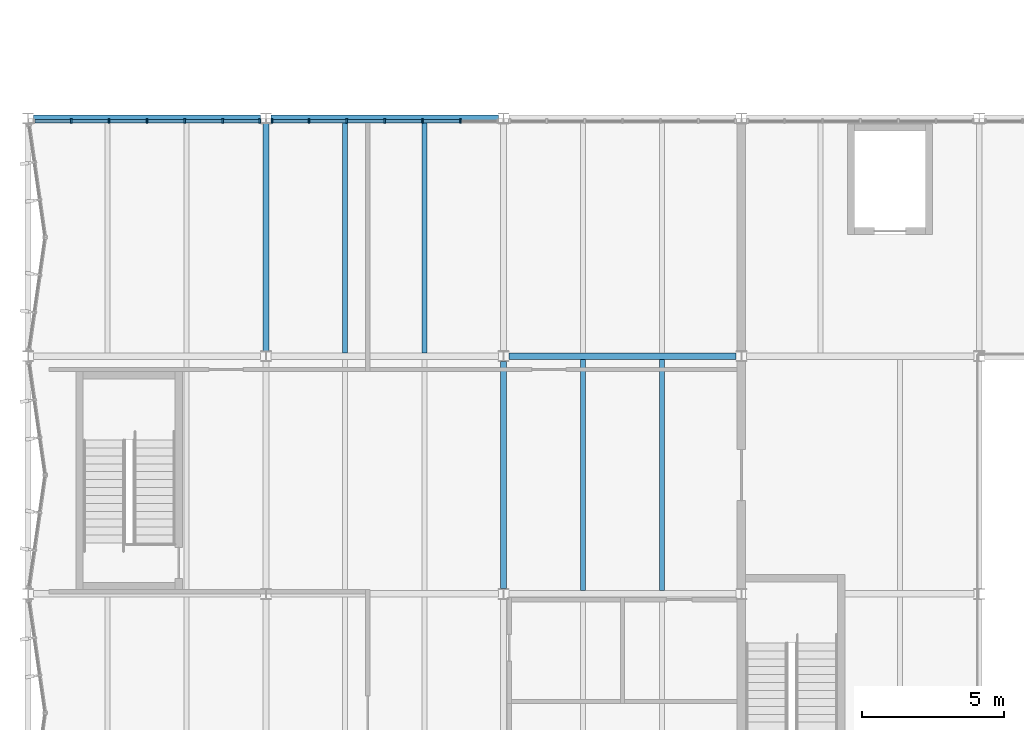
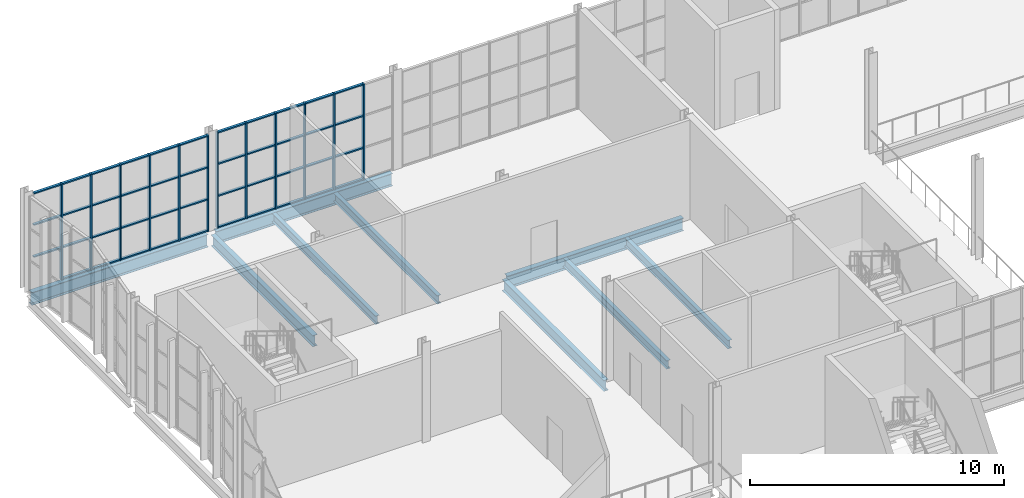
# One storey, part 39 of 127: 55 members, 9 beams, 2 elements without a shape of their own.
"""IFC4 building model written with IfcOpenShell, lengths in metres."""

from ifc_helpers import new_model, si_unit, direction, frame, origin, origin_2d, place, context, subcontext, project, spatial, rectangle, i_section, extrude, material, material_profile, profile_set, type_object, element, aggregate, save


model = new_model("IFC4")

# Units and contexts
model_context = context("Model", 3, precision=1e-05, world=origin(), true_north=direction((0.0, 1.0)))
body_context = subcontext(model_context, "Body", "Model", "MODEL_VIEW")
ifc_project = project(units=[si_unit("LENGTHUNIT", "METRE"), si_unit("AREAUNIT", "SQUARE_METRE"), si_unit("VOLUMEUNIT", "CUBIC_METRE"), si_unit("PLANEANGLEUNIT", "RADIAN"), si_unit("MASSUNIT", "GRAM", prefix="KILO")], contexts=[model_context])

# Site, building, storey
site_placement = place(None, origin())
site = spatial("IfcSite", under=ifc_project, at=site_placement, CompositionType="ELEMENT")
building_placement = place(site_placement, origin())
building = spatial("IfcBuilding", under=site, at=building_placement, Name="Ljudholm Concert House", CompositionType="ELEMENT")
storey_placement = place(building_placement, frame((0.0, 0.0, 5.39990234375)))
storey = spatial("IfcBuildingStorey", under=building, at=storey_placement, Name="L01", CompositionType="ELEMENT", Elevation=5.39990234375)

# Curtain wall, members
ifc_material_1 = material(Name="Aluminium curtain wall with impact-rated laminated glass", Category="aluminium")
curtain_wall_type = type_object("IfcCurtainWallType", Name="CURTAIN WALL 1400", PredefinedType="NOTDEFINED", material=ifc_material_1)
curtain_wall_1_placement = place(storey_placement, origin())
curtain_wall_1 = element("IfcCurtainWall", 1, at=curtain_wall_1_placement, inside=storey, type_object=curtain_wall_type, Name="North curtain wall", PredefinedType="NOTDEFINED")
ifc_material_2 = material(Name="Aluminium extrusion", Category="aluminium")
ifc_material_profile_1 = material_profile(ifc_material_2, rectangle(XDim=0.159912109375, YDim=0.06005859375, at=origin_2d()), Name="MULLION 60x160")
ifc_profile_set_1 = profile_set([ifc_material_profile_1], Name="Aluminium extrusion")
member_type_1 = type_object("IfcMemberType", Name="MULLION 60x160", PredefinedType="MULLION", material=ifc_profile_set_1)
member_1_placement = place(storey_placement, frame((5.5244140625, 129.89990234375, 0.0), z_axis=(0.0, 0.0, 1.0), x_axis=(0.0, 1.0, 0.0)))
member_1 = element("IfcMember", 2, at=member_1_placement, type_object=member_type_1, Name="Mullion", PredefinedType="MULLION", context=body_context, shape_type="SweptSolid", body=[
    extrude(rectangle(XDim=0.159912109375, YDim=0.06005859375, at=origin_2d()), origin(), (0.0, 0.0, 1.0), 4.6201171875),
])
member_2_placement = place(storey_placement, frame((6.8623046875, 129.89990234375, 0.0), z_axis=(0.0, 0.0, 1.0), x_axis=(0.0, 1.0, 0.0)))
member_2 = element("IfcMember", 3, at=member_2_placement, type_object=member_type_1, Name="Mullion", PredefinedType="MULLION", context=body_context, shape_type="SweptSolid", body=[
    extrude(rectangle(XDim=0.159912109375, YDim=0.06005859375, at=origin_2d()), origin(), (0.0, 0.0, 1.0), 4.6201171875),
])
member_3_placement = place(storey_placement, frame((8.199951171875, 129.89990234375, 0.0), z_axis=(0.0, 0.0, 1.0), x_axis=(0.0, 1.0, 0.0)))
member_3 = element("IfcMember", 4, at=member_3_placement, type_object=member_type_1, Name="Mullion", PredefinedType="MULLION", context=body_context, shape_type="SweptSolid", body=[
    extrude(rectangle(XDim=0.159912109375, YDim=0.06005859375, at=origin_2d()), origin(), (0.0, 0.0, 1.0), 4.6201171875),
])
member_4_placement = place(storey_placement, frame((9.537841796875, 129.89990234375, 0.0), z_axis=(0.0, 0.0, 1.0), x_axis=(0.0, 1.0, 0.0)))
member_4 = element("IfcMember", 5, at=member_4_placement, type_object=member_type_1, Name="Mullion", PredefinedType="MULLION", context=body_context, shape_type="SweptSolid", body=[
    extrude(rectangle(XDim=0.159912109375, YDim=0.06005859375, at=origin_2d()), origin(), (0.0, 0.0, 1.0), 4.6201171875),
])
member_5_placement = place(storey_placement, frame((10.87548828125, 129.89990234375, 0.0), z_axis=(0.0, 0.0, 1.0), x_axis=(0.0, 1.0, 0.0)))
member_5 = element("IfcMember", 6, at=member_5_placement, type_object=member_type_1, Name="Mullion", PredefinedType="MULLION", context=body_context, shape_type="SweptSolid", body=[
    extrude(rectangle(XDim=0.159912109375, YDim=0.06005859375, at=origin_2d()), origin(), (0.0, 0.0, 1.0), 4.6201171875),
])
member_6_placement = place(storey_placement, frame((12.183349609375, 129.89990234375, 0.0), z_axis=(0.0, 0.0, 1.0), x_axis=(0.0, 1.0, 0.0)))
member_6 = element("IfcMember", 7, at=member_6_placement, type_object=member_type_1, Name="Mullion", PredefinedType="MULLION", context=body_context, shape_type="SweptSolid", body=[
    extrude(rectangle(XDim=0.159912109375, YDim=0.06005859375, at=origin_2d()), origin(), (0.0, 0.0, 1.0), 4.6201171875),
])

curtain_wall_2_placement = place(storey_placement, origin())
curtain_wall_2 = element("IfcCurtainWall", 8, at=curtain_wall_2_placement, inside=storey, type_object=curtain_wall_type, Name="North curtain wall", PredefinedType="NOTDEFINED")
member_7_placement = place(storey_placement, frame((12.61669921875, 129.89990234375, 0.0), z_axis=(0.0, 0.0, 1.0), x_axis=(0.0, 1.0, 0.0)))
member_7 = element("IfcMember", 9, at=member_7_placement, type_object=member_type_1, Name="Mullion", PredefinedType="MULLION", context=body_context, shape_type="SweptSolid", body=[
    extrude(rectangle(XDim=0.159912109375, YDim=0.06005859375, at=origin_2d()), origin(), (0.0, 0.0, 1.0), 4.6201171875),
])
member_8_placement = place(storey_placement, frame((13.924560546875, 129.89990234375, 0.0), z_axis=(0.0, 0.0, 1.0), x_axis=(0.0, 1.0, 0.0)))
member_8 = element("IfcMember", 10, at=member_8_placement, type_object=member_type_1, Name="Mullion", PredefinedType="MULLION", context=body_context, shape_type="SweptSolid", body=[
    extrude(rectangle(XDim=0.159912109375, YDim=0.06005859375, at=origin_2d()), origin(), (0.0, 0.0, 1.0), 4.6201171875),
])
member_9_placement = place(storey_placement, frame((15.26220703125, 129.89990234375, 0.0), z_axis=(0.0, 0.0, 1.0), x_axis=(0.0, 1.0, 0.0)))
member_9 = element("IfcMember", 11, at=member_9_placement, type_object=member_type_1, Name="Mullion", PredefinedType="MULLION", context=body_context, shape_type="SweptSolid", body=[
    extrude(rectangle(XDim=0.159912109375, YDim=0.06005859375, at=origin_2d()), origin(), (0.0, 0.0, 1.0), 4.6201171875),
])
member_10_placement = place(storey_placement, frame((16.60009765625, 129.89990234375, 0.0), z_axis=(0.0, 0.0, 1.0), x_axis=(0.0, 1.0, 0.0)))
member_10 = element("IfcMember", 12, at=member_10_placement, type_object=member_type_1, Name="Mullion", PredefinedType="MULLION", context=body_context, shape_type="SweptSolid", body=[
    extrude(rectangle(XDim=0.159912109375, YDim=0.06005859375, at=origin_2d()), origin(), (0.0, 0.0, 1.0), 4.6201171875),
])
member_11_placement = place(storey_placement, frame((17.937744140625, 129.89990234375, 0.0), z_axis=(0.0, 0.0, 1.0), x_axis=(0.0, 1.0, 0.0)))
member_11 = element("IfcMember", 13, at=member_11_placement, type_object=member_type_1, Name="Mullion", PredefinedType="MULLION", context=body_context, shape_type="SweptSolid", body=[
    extrude(rectangle(XDim=0.159912109375, YDim=0.06005859375, at=origin_2d()), origin(), (0.0, 0.0, 1.0), 4.6201171875),
])
member_12_placement = place(storey_placement, frame((19.275634765625, 129.89990234375, 0.0), z_axis=(0.0, 0.0, 1.0), x_axis=(0.0, 1.0, 0.0)))
member_12 = element("IfcMember", 14, at=member_12_placement, type_object=member_type_1, Name="Mullion", PredefinedType="MULLION", context=body_context, shape_type="SweptSolid", body=[
    extrude(rectangle(XDim=0.159912109375, YDim=0.06005859375, at=origin_2d()), origin(), (0.0, 0.0, 1.0), 4.6201171875),
])

# Beams
ifc_material_3 = material(Name="Steel ASTM A992", Category="steel")
ifc_material_profile_2 = material_profile(ifc_material_3, i_section(OverallWidth=0.177734375, OverallDepth=0.406494140625, WebThickness=0.0078125, FlangeThickness=0.012939453125, FilletRadius=0.01025390625, at=origin_2d()), Name="W16X40")
ifc_profile_set_2 = profile_set([ifc_material_profile_2], Name="Steel ASTM A992")
beam_type_1 = type_object("IfcBeamType", Name="STEEL BEAM W16X40", PredefinedType="BEAM", material=ifc_profile_set_2)
for number, where, z_axis, x_axis, name in (
    (15, (15.199951171875, 121.714599609375, -0.383056640625), (0.0, 1.0, 0.0), (-1.0, 0.0, 0.0), "Secondary beam"),
    (16, (18.0, 121.714599609375, -0.383056640625), (0.0, 1.0, 0.0), (-1.0, 0.0, 0.0), "Secondary beam"),
    (17, (23.60009765625, 113.314453125, -0.383056640625), (0.0, 1.0, 0.0), (-1.0, 0.0, 0.0), "Secondary beam"),
    (18, (26.39990234375, 113.314453125, -0.383056640625), (0.0, 1.0, 0.0), (-1.0, 0.0, 0.0), "Secondary beam"),
):
    element("IfcBeam", number, at=place(storey_placement, frame(where, z_axis=z_axis, x_axis=x_axis)), inside=storey, type_object=beam_type_1, Name=name, PredefinedType="BEAM", context=body_context, shape_type="SweptSolid", body=[
        extrude(i_section(OverallWidth=0.177734375, OverallDepth=0.406494140625, WebThickness=0.0078125, FlangeThickness=0.012939453125, FilletRadius=0.01025390625, at=origin_2d()), origin(), (0.0, 0.0, 1.0), 8.1708984375),
    ])
ifc_material_4 = material(Name="Steel ASTM A992", Category="steel")
ifc_material_profile_3 = material_profile(ifc_material_4, i_section(OverallWidth=0.209228515625, OverallDepth=0.533447265625, WebThickness=0.01025390625, FlangeThickness=0.015625, FilletRadius=0.012939453125, at=origin_2d()), Name="W21X62")
ifc_profile_set_3 = profile_set([ifc_material_profile_3], Name="Steel ASTM A992")
beam_type_2 = type_object("IfcBeamType", Name="STEEL BEAM W21X62", PredefinedType="BEAM", material=ifc_profile_set_3)
for number, where, z_axis, x_axis, name in (
    (19, (12.39990234375, 121.78662109375, -0.446533203125), (0.0, 1.0, 0.0), (-1.0, 0.0, 0.0), "Floor edge beam"),
    (20, (20.800048828125, 113.38671875, -0.446533203125), (0.0, 1.0, 0.0), (-1.0, 0.0, 0.0), "Floor edge beam"),
):
    element("IfcBeam", number, at=place(storey_placement, frame(where, z_axis=z_axis, x_axis=x_axis)), inside=storey, type_object=beam_type_2, Name=name, PredefinedType="BEAM", context=body_context, shape_type="SweptSolid", body=[
        extrude(i_section(OverallWidth=0.209228515625, OverallDepth=0.533447265625, WebThickness=0.01025390625, FlangeThickness=0.015625, FilletRadius=0.012939453125, at=origin_2d()), origin(), (0.0, 0.0, 1.0), 8.026611328125),
    ])
ifc_material_5 = material(Name="Steel ASTM A992", Category="steel")
ifc_material_profile_4 = material_profile(ifc_material_5, i_section(OverallWidth=0.22900390625, OverallDepth=0.612060546875, WebThickness=0.011962890625, FlangeThickness=0.01953125, FilletRadius=0.0126953125, at=origin_2d()), Name="W24X84")
ifc_profile_set_4 = profile_set([ifc_material_profile_4], Name="Steel ASTM A992")
beam_type_3 = type_object("IfcBeamType", Name="STEEL BEAM W24X84", PredefinedType="BEAM", material=ifc_profile_set_4)
beam_placement = place(storey_placement, frame((20.986572265625, 121.60009765625, -0.486083984375), z_axis=(1.0, 0.0, 0.0), x_axis=(0.0, 1.0, 0.0)))
element("IfcBeam", 21, at=beam_placement, inside=storey, type_object=beam_type_3, Name="Floor girder", PredefinedType="BEAM", context=body_context, shape_type="SweptSolid", body=[
    extrude(i_section(OverallWidth=0.22900390625, OverallDepth=0.612060546875, WebThickness=0.011962890625, FlangeThickness=0.01953125, FilletRadius=0.0126953125, at=origin_2d()), origin(), (0.0, 0.0, 1.0), 8.02685546875),
])
for number, where, z_axis, x_axis, name in (
    (22, (4.186767578125, 130.0, -0.486083984375), (1.0, 0.0, 0.0), (0.0, 1.0, 0.0), "Floor girder"),
    (23, (12.586669921875, 130.0, -0.486083984375), (1.0, 0.0, 0.0), (0.0, 1.0, 0.0), "Floor girder"),
):
    element("IfcBeam", number, at=place(storey_placement, frame(where, z_axis=z_axis, x_axis=x_axis)), inside=storey, type_object=beam_type_3, Name=name, PredefinedType="BEAM", context=body_context, shape_type="SweptSolid", body=[
        extrude(i_section(OverallWidth=0.22900390625, OverallDepth=0.612060546875, WebThickness=0.011962890625, FlangeThickness=0.01953125, FilletRadius=0.0126953125, at=origin_2d()), origin(), (0.0, 0.0, 1.0), 8.026611328125),
    ])

# Member
ifc_material_6 = material(Name="Aluminium extrusion", Category="aluminium")
ifc_material_profile_5 = material_profile(ifc_material_6, rectangle(XDim=0.1201171875, YDim=0.06005859375, at=origin_2d()), Name="TRANSOM 60x120")
ifc_profile_set_5 = profile_set([ifc_material_profile_5], Name="Aluminium extrusion")
member_type_2 = type_object("IfcMemberType", Name="TRANSOM 60x120", PredefinedType="USERDEFINED", material=ifc_profile_set_5)
member_13_placement = place(storey_placement, frame((4.24658203125, 129.89990234375, 1.5400390625), z_axis=(1.0, 0.0, 0.0), x_axis=(0.0, 1.0, 0.0)))
member_13 = element("IfcMember", 24, at=member_13_placement, type_object=member_type_2, Name="Transom", ObjectType="TRANSOM", PredefinedType="USERDEFINED", context=body_context, shape_type="SweptSolid", body=[
    extrude(rectangle(XDim=0.1201171875, YDim=0.06005859375, at=origin_2d()), origin(), (0.0, 0.0, 1.0), 1.247802734375),
])

member_14_placement = place(storey_placement, frame((4.24658203125, 129.89990234375, 3.080078125), z_axis=(1.0, 0.0, 0.0), x_axis=(0.0, 1.0, 0.0)))
member_14 = element("IfcMember", 25, at=member_14_placement, type_object=member_type_2, Name="Transom", ObjectType="TRANSOM", PredefinedType="USERDEFINED", context=body_context, shape_type="SweptSolid", body=[
    extrude(rectangle(XDim=0.1201171875, YDim=0.06005859375, at=origin_2d()), origin(), (0.0, 0.0, 1.0), 1.247802734375),
])

member_15_placement = place(storey_placement, frame((4.24658203125, 129.89990234375, 4.590087890625), z_axis=(1.0, 0.0, 0.0), x_axis=(0.0, 1.0, 0.0)))
member_15 = element("IfcMember", 26, at=member_15_placement, type_object=member_type_2, Name="Transom", ObjectType="TRANSOM", PredefinedType="USERDEFINED", context=body_context, shape_type="SweptSolid", body=[
    extrude(rectangle(XDim=0.1201171875, YDim=0.06005859375, at=origin_2d()), origin(), (0.0, 0.0, 1.0), 1.247802734375),
])

member_16_placement = place(storey_placement, frame((5.554443359375, 129.89990234375, 0.030029296875), z_axis=(1.0, 0.0, 0.0), x_axis=(0.0, 1.0, 0.0)))
member_16 = element("IfcMember", 27, at=member_16_placement, type_object=member_type_2, Name="Transom", ObjectType="TRANSOM", PredefinedType="USERDEFINED", context=body_context, shape_type="SweptSolid", body=[
    extrude(rectangle(XDim=0.1201171875, YDim=0.06005859375, at=origin_2d()), origin(), (0.0, 0.0, 1.0), 1.27783203125),
])

member_17_placement = place(storey_placement, frame((5.554443359375, 129.89990234375, 1.5400390625), z_axis=(1.0, 0.0, 0.0), x_axis=(0.0, 1.0, 0.0)))
member_17 = element("IfcMember", 28, at=member_17_placement, type_object=member_type_2, Name="Transom", ObjectType="TRANSOM", PredefinedType="USERDEFINED", context=body_context, shape_type="SweptSolid", body=[
    extrude(rectangle(XDim=0.1201171875, YDim=0.06005859375, at=origin_2d()), origin(), (0.0, 0.0, 1.0), 1.27783203125),
])

member_18_placement = place(storey_placement, frame((5.554443359375, 129.89990234375, 3.080078125), z_axis=(1.0, 0.0, 0.0), x_axis=(0.0, 1.0, 0.0)))
member_18 = element("IfcMember", 29, at=member_18_placement, type_object=member_type_2, Name="Transom", ObjectType="TRANSOM", PredefinedType="USERDEFINED", context=body_context, shape_type="SweptSolid", body=[
    extrude(rectangle(XDim=0.1201171875, YDim=0.06005859375, at=origin_2d()), origin(), (0.0, 0.0, 1.0), 1.27783203125),
])

member_19_placement = place(storey_placement, frame((5.554443359375, 129.89990234375, 4.590087890625), z_axis=(1.0, 0.0, 0.0), x_axis=(0.0, 1.0, 0.0)))
member_19 = element("IfcMember", 30, at=member_19_placement, type_object=member_type_2, Name="Transom", ObjectType="TRANSOM", PredefinedType="USERDEFINED", context=body_context, shape_type="SweptSolid", body=[
    extrude(rectangle(XDim=0.1201171875, YDim=0.06005859375, at=origin_2d()), origin(), (0.0, 0.0, 1.0), 1.27783203125),
])

member_20_placement = place(storey_placement, frame((6.892333984375, 129.89990234375, 0.030029296875), z_axis=(1.0, 0.0, 0.0), x_axis=(0.0, 1.0, 0.0)))
member_20 = element("IfcMember", 31, at=member_20_placement, type_object=member_type_2, Name="Transom", ObjectType="TRANSOM", PredefinedType="USERDEFINED", context=body_context, shape_type="SweptSolid", body=[
    extrude(rectangle(XDim=0.1201171875, YDim=0.06005859375, at=origin_2d()), origin(), (0.0, 0.0, 1.0), 1.277587890625),
])

member_21_placement = place(storey_placement, frame((6.892333984375, 129.89990234375, 1.5400390625), z_axis=(1.0, 0.0, 0.0), x_axis=(0.0, 1.0, 0.0)))
member_21 = element("IfcMember", 32, at=member_21_placement, type_object=member_type_2, Name="Transom", ObjectType="TRANSOM", PredefinedType="USERDEFINED", context=body_context, shape_type="SweptSolid", body=[
    extrude(rectangle(XDim=0.1201171875, YDim=0.06005859375, at=origin_2d()), origin(), (0.0, 0.0, 1.0), 1.277587890625),
])

member_22_placement = place(storey_placement, frame((6.892333984375, 129.89990234375, 3.080078125), z_axis=(1.0, 0.0, 0.0), x_axis=(0.0, 1.0, 0.0)))
member_22 = element("IfcMember", 33, at=member_22_placement, type_object=member_type_2, Name="Transom", ObjectType="TRANSOM", PredefinedType="USERDEFINED", context=body_context, shape_type="SweptSolid", body=[
    extrude(rectangle(XDim=0.1201171875, YDim=0.06005859375, at=origin_2d()), origin(), (0.0, 0.0, 1.0), 1.277587890625),
])

member_23_placement = place(storey_placement, frame((6.892333984375, 129.89990234375, 4.590087890625), z_axis=(1.0, 0.0, 0.0), x_axis=(0.0, 1.0, 0.0)))
member_23 = element("IfcMember", 34, at=member_23_placement, type_object=member_type_2, Name="Transom", ObjectType="TRANSOM", PredefinedType="USERDEFINED", context=body_context, shape_type="SweptSolid", body=[
    extrude(rectangle(XDim=0.1201171875, YDim=0.06005859375, at=origin_2d()), origin(), (0.0, 0.0, 1.0), 1.277587890625),
])

member_24_placement = place(storey_placement, frame((8.22998046875, 129.89990234375, 0.030029296875), z_axis=(1.0, 0.0, 0.0), x_axis=(0.0, 1.0, 0.0)))
member_24 = element("IfcMember", 35, at=member_24_placement, type_object=member_type_2, Name="Transom", ObjectType="TRANSOM", PredefinedType="USERDEFINED", context=body_context, shape_type="SweptSolid", body=[
    extrude(rectangle(XDim=0.1201171875, YDim=0.06005859375, at=origin_2d()), origin(), (0.0, 0.0, 1.0), 1.27783203125),
])

member_25_placement = place(storey_placement, frame((8.22998046875, 129.89990234375, 1.5400390625), z_axis=(1.0, 0.0, 0.0), x_axis=(0.0, 1.0, 0.0)))
member_25 = element("IfcMember", 36, at=member_25_placement, type_object=member_type_2, Name="Transom", ObjectType="TRANSOM", PredefinedType="USERDEFINED", context=body_context, shape_type="SweptSolid", body=[
    extrude(rectangle(XDim=0.1201171875, YDim=0.06005859375, at=origin_2d()), origin(), (0.0, 0.0, 1.0), 1.27783203125),
])

member_26_placement = place(storey_placement, frame((8.22998046875, 129.89990234375, 3.080078125), z_axis=(1.0, 0.0, 0.0), x_axis=(0.0, 1.0, 0.0)))
member_26 = element("IfcMember", 37, at=member_26_placement, type_object=member_type_2, Name="Transom", ObjectType="TRANSOM", PredefinedType="USERDEFINED", context=body_context, shape_type="SweptSolid", body=[
    extrude(rectangle(XDim=0.1201171875, YDim=0.06005859375, at=origin_2d()), origin(), (0.0, 0.0, 1.0), 1.27783203125),
])

member_27_placement = place(storey_placement, frame((8.22998046875, 129.89990234375, 4.590087890625), z_axis=(1.0, 0.0, 0.0), x_axis=(0.0, 1.0, 0.0)))
member_27 = element("IfcMember", 38, at=member_27_placement, type_object=member_type_2, Name="Transom", ObjectType="TRANSOM", PredefinedType="USERDEFINED", context=body_context, shape_type="SweptSolid", body=[
    extrude(rectangle(XDim=0.1201171875, YDim=0.06005859375, at=origin_2d()), origin(), (0.0, 0.0, 1.0), 1.27783203125),
])

member_28_placement = place(storey_placement, frame((9.56787109375, 129.89990234375, 0.030029296875), z_axis=(1.0, 0.0, 0.0), x_axis=(0.0, 1.0, 0.0)))
member_28 = element("IfcMember", 39, at=member_28_placement, type_object=member_type_2, Name="Transom", ObjectType="TRANSOM", PredefinedType="USERDEFINED", context=body_context, shape_type="SweptSolid", body=[
    extrude(rectangle(XDim=0.1201171875, YDim=0.06005859375, at=origin_2d()), origin(), (0.0, 0.0, 1.0), 1.277587890625),
])

member_29_placement = place(storey_placement, frame((9.56787109375, 129.89990234375, 1.5400390625), z_axis=(1.0, 0.0, 0.0), x_axis=(0.0, 1.0, 0.0)))
member_29 = element("IfcMember", 40, at=member_29_placement, type_object=member_type_2, Name="Transom", ObjectType="TRANSOM", PredefinedType="USERDEFINED", context=body_context, shape_type="SweptSolid", body=[
    extrude(rectangle(XDim=0.1201171875, YDim=0.06005859375, at=origin_2d()), origin(), (0.0, 0.0, 1.0), 1.277587890625),
])

member_30_placement = place(storey_placement, frame((9.56787109375, 129.89990234375, 3.080078125), z_axis=(1.0, 0.0, 0.0), x_axis=(0.0, 1.0, 0.0)))
member_30 = element("IfcMember", 41, at=member_30_placement, type_object=member_type_2, Name="Transom", ObjectType="TRANSOM", PredefinedType="USERDEFINED", context=body_context, shape_type="SweptSolid", body=[
    extrude(rectangle(XDim=0.1201171875, YDim=0.06005859375, at=origin_2d()), origin(), (0.0, 0.0, 1.0), 1.277587890625),
])

member_31_placement = place(storey_placement, frame((9.56787109375, 129.89990234375, 4.590087890625), z_axis=(1.0, 0.0, 0.0), x_axis=(0.0, 1.0, 0.0)))
member_31 = element("IfcMember", 42, at=member_31_placement, type_object=member_type_2, Name="Transom", ObjectType="TRANSOM", PredefinedType="USERDEFINED", context=body_context, shape_type="SweptSolid", body=[
    extrude(rectangle(XDim=0.1201171875, YDim=0.06005859375, at=origin_2d()), origin(), (0.0, 0.0, 1.0), 1.277587890625),
])

member_32_placement = place(storey_placement, frame((10.905517578125, 129.89990234375, 0.030029296875), z_axis=(1.0, 0.0, 0.0), x_axis=(0.0, 1.0, 0.0)))
member_32 = element("IfcMember", 43, at=member_32_placement, type_object=member_type_2, Name="Transom", ObjectType="TRANSOM", PredefinedType="USERDEFINED", context=body_context, shape_type="SweptSolid", body=[
    extrude(rectangle(XDim=0.1201171875, YDim=0.06005859375, at=origin_2d()), origin(), (0.0, 0.0, 1.0), 1.247802734375),
])

member_33_placement = place(storey_placement, frame((10.905517578125, 129.89990234375, 1.5400390625), z_axis=(1.0, 0.0, 0.0), x_axis=(0.0, 1.0, 0.0)))
member_33 = element("IfcMember", 44, at=member_33_placement, type_object=member_type_2, Name="Transom", ObjectType="TRANSOM", PredefinedType="USERDEFINED", context=body_context, shape_type="SweptSolid", body=[
    extrude(rectangle(XDim=0.1201171875, YDim=0.06005859375, at=origin_2d()), origin(), (0.0, 0.0, 1.0), 1.247802734375),
])

member_34_placement = place(storey_placement, frame((10.905517578125, 129.89990234375, 3.080078125), z_axis=(1.0, 0.0, 0.0), x_axis=(0.0, 1.0, 0.0)))
member_34 = element("IfcMember", 45, at=member_34_placement, type_object=member_type_2, Name="Transom", ObjectType="TRANSOM", PredefinedType="USERDEFINED", context=body_context, shape_type="SweptSolid", body=[
    extrude(rectangle(XDim=0.1201171875, YDim=0.06005859375, at=origin_2d()), origin(), (0.0, 0.0, 1.0), 1.247802734375),
])

member_35_placement = place(storey_placement, frame((10.905517578125, 129.89990234375, 4.590087890625), z_axis=(1.0, 0.0, 0.0), x_axis=(0.0, 1.0, 0.0)))
member_35 = element("IfcMember", 46, at=member_35_placement, type_object=member_type_2, Name="Transom", ObjectType="TRANSOM", PredefinedType="USERDEFINED", context=body_context, shape_type="SweptSolid", body=[
    extrude(rectangle(XDim=0.1201171875, YDim=0.06005859375, at=origin_2d()), origin(), (0.0, 0.0, 1.0), 1.247802734375),
])

aggregate(curtain_wall_1, [member_1, member_2, member_3, member_4, member_5, member_6, member_13, member_14, member_15, member_16, member_17, member_18, member_19, member_20, member_21, member_22, member_23, member_24, member_25, member_26, member_27, member_28, member_29, member_30, member_31, member_32, member_33, member_34, member_35])

member_36_placement = place(storey_placement, frame((12.646728515625, 129.89990234375, 0.030029296875), z_axis=(1.0, 0.0, 0.0), x_axis=(0.0, 1.0, 0.0)))
member_36 = element("IfcMember", 47, at=member_36_placement, type_object=member_type_2, Name="Transom", ObjectType="TRANSOM", PredefinedType="USERDEFINED", context=body_context, shape_type="SweptSolid", body=[
    extrude(rectangle(XDim=0.1201171875, YDim=0.06005859375, at=origin_2d()), origin(), (0.0, 0.0, 1.0), 1.247802734375),
])

member_37_placement = place(storey_placement, frame((12.646728515625, 129.89990234375, 1.5400390625), z_axis=(1.0, 0.0, 0.0), x_axis=(0.0, 1.0, 0.0)))
member_37 = element("IfcMember", 48, at=member_37_placement, type_object=member_type_2, Name="Transom", ObjectType="TRANSOM", PredefinedType="USERDEFINED", context=body_context, shape_type="SweptSolid", body=[
    extrude(rectangle(XDim=0.1201171875, YDim=0.06005859375, at=origin_2d()), origin(), (0.0, 0.0, 1.0), 1.247802734375),
])

member_38_placement = place(storey_placement, frame((12.646728515625, 129.89990234375, 3.080078125), z_axis=(1.0, 0.0, 0.0), x_axis=(0.0, 1.0, 0.0)))
member_38 = element("IfcMember", 49, at=member_38_placement, type_object=member_type_2, Name="Transom", ObjectType="TRANSOM", PredefinedType="USERDEFINED", context=body_context, shape_type="SweptSolid", body=[
    extrude(rectangle(XDim=0.1201171875, YDim=0.06005859375, at=origin_2d()), origin(), (0.0, 0.0, 1.0), 1.247802734375),
])

member_39_placement = place(storey_placement, frame((12.646728515625, 129.89990234375, 4.590087890625), z_axis=(1.0, 0.0, 0.0), x_axis=(0.0, 1.0, 0.0)))
member_39 = element("IfcMember", 50, at=member_39_placement, type_object=member_type_2, Name="Transom", ObjectType="TRANSOM", PredefinedType="USERDEFINED", context=body_context, shape_type="SweptSolid", body=[
    extrude(rectangle(XDim=0.1201171875, YDim=0.06005859375, at=origin_2d()), origin(), (0.0, 0.0, 1.0), 1.247802734375),
])

member_40_placement = place(storey_placement, frame((13.954345703125, 129.89990234375, 0.030029296875), z_axis=(1.0, 0.0, 0.0), x_axis=(0.0, 1.0, 0.0)))
member_40 = element("IfcMember", 51, at=member_40_placement, type_object=member_type_2, Name="Transom", ObjectType="TRANSOM", PredefinedType="USERDEFINED", context=body_context, shape_type="SweptSolid", body=[
    extrude(rectangle(XDim=0.1201171875, YDim=0.06005859375, at=origin_2d()), origin(), (0.0, 0.0, 1.0), 1.27783203125),
])

member_41_placement = place(storey_placement, frame((13.954345703125, 129.89990234375, 1.5400390625), z_axis=(1.0, 0.0, 0.0), x_axis=(0.0, 1.0, 0.0)))
member_41 = element("IfcMember", 52, at=member_41_placement, type_object=member_type_2, Name="Transom", ObjectType="TRANSOM", PredefinedType="USERDEFINED", context=body_context, shape_type="SweptSolid", body=[
    extrude(rectangle(XDim=0.1201171875, YDim=0.06005859375, at=origin_2d()), origin(), (0.0, 0.0, 1.0), 1.27783203125),
])

member_42_placement = place(storey_placement, frame((13.954345703125, 129.89990234375, 3.080078125), z_axis=(1.0, 0.0, 0.0), x_axis=(0.0, 1.0, 0.0)))
member_42 = element("IfcMember", 53, at=member_42_placement, type_object=member_type_2, Name="Transom", ObjectType="TRANSOM", PredefinedType="USERDEFINED", context=body_context, shape_type="SweptSolid", body=[
    extrude(rectangle(XDim=0.1201171875, YDim=0.06005859375, at=origin_2d()), origin(), (0.0, 0.0, 1.0), 1.27783203125),
])

member_43_placement = place(storey_placement, frame((13.954345703125, 129.89990234375, 4.590087890625), z_axis=(1.0, 0.0, 0.0), x_axis=(0.0, 1.0, 0.0)))
member_43 = element("IfcMember", 54, at=member_43_placement, type_object=member_type_2, Name="Transom", ObjectType="TRANSOM", PredefinedType="USERDEFINED", context=body_context, shape_type="SweptSolid", body=[
    extrude(rectangle(XDim=0.1201171875, YDim=0.06005859375, at=origin_2d()), origin(), (0.0, 0.0, 1.0), 1.27783203125),
])

member_44_placement = place(storey_placement, frame((15.292236328125, 129.89990234375, 0.030029296875), z_axis=(1.0, 0.0, 0.0), x_axis=(0.0, 1.0, 0.0)))
member_44 = element("IfcMember", 55, at=member_44_placement, type_object=member_type_2, Name="Transom", ObjectType="TRANSOM", PredefinedType="USERDEFINED", context=body_context, shape_type="SweptSolid", body=[
    extrude(rectangle(XDim=0.1201171875, YDim=0.06005859375, at=origin_2d()), origin(), (0.0, 0.0, 1.0), 1.27783203125),
])

member_45_placement = place(storey_placement, frame((15.292236328125, 129.89990234375, 1.5400390625), z_axis=(1.0, 0.0, 0.0), x_axis=(0.0, 1.0, 0.0)))
member_45 = element("IfcMember", 56, at=member_45_placement, type_object=member_type_2, Name="Transom", ObjectType="TRANSOM", PredefinedType="USERDEFINED", context=body_context, shape_type="SweptSolid", body=[
    extrude(rectangle(XDim=0.1201171875, YDim=0.06005859375, at=origin_2d()), origin(), (0.0, 0.0, 1.0), 1.27783203125),
])

member_46_placement = place(storey_placement, frame((15.292236328125, 129.89990234375, 3.080078125), z_axis=(1.0, 0.0, 0.0), x_axis=(0.0, 1.0, 0.0)))
member_46 = element("IfcMember", 57, at=member_46_placement, type_object=member_type_2, Name="Transom", ObjectType="TRANSOM", PredefinedType="USERDEFINED", context=body_context, shape_type="SweptSolid", body=[
    extrude(rectangle(XDim=0.1201171875, YDim=0.06005859375, at=origin_2d()), origin(), (0.0, 0.0, 1.0), 1.27783203125),
])

member_47_placement = place(storey_placement, frame((15.292236328125, 129.89990234375, 4.590087890625), z_axis=(1.0, 0.0, 0.0), x_axis=(0.0, 1.0, 0.0)))
member_47 = element("IfcMember", 58, at=member_47_placement, type_object=member_type_2, Name="Transom", ObjectType="TRANSOM", PredefinedType="USERDEFINED", context=body_context, shape_type="SweptSolid", body=[
    extrude(rectangle(XDim=0.1201171875, YDim=0.06005859375, at=origin_2d()), origin(), (0.0, 0.0, 1.0), 1.27783203125),
])

member_48_placement = place(storey_placement, frame((16.6298828125, 129.89990234375, 0.030029296875), z_axis=(1.0, 0.0, 0.0), x_axis=(0.0, 1.0, 0.0)))
member_48 = element("IfcMember", 59, at=member_48_placement, type_object=member_type_2, Name="Transom", ObjectType="TRANSOM", PredefinedType="USERDEFINED", context=body_context, shape_type="SweptSolid", body=[
    extrude(rectangle(XDim=0.1201171875, YDim=0.06005859375, at=origin_2d()), origin(), (0.0, 0.0, 1.0), 1.27783203125),
])

member_49_placement = place(storey_placement, frame((16.6298828125, 129.89990234375, 1.5400390625), z_axis=(1.0, 0.0, 0.0), x_axis=(0.0, 1.0, 0.0)))
member_49 = element("IfcMember", 60, at=member_49_placement, type_object=member_type_2, Name="Transom", ObjectType="TRANSOM", PredefinedType="USERDEFINED", context=body_context, shape_type="SweptSolid", body=[
    extrude(rectangle(XDim=0.1201171875, YDim=0.06005859375, at=origin_2d()), origin(), (0.0, 0.0, 1.0), 1.27783203125),
])

member_50_placement = place(storey_placement, frame((16.6298828125, 129.89990234375, 3.080078125), z_axis=(1.0, 0.0, 0.0), x_axis=(0.0, 1.0, 0.0)))
member_50 = element("IfcMember", 61, at=member_50_placement, type_object=member_type_2, Name="Transom", ObjectType="TRANSOM", PredefinedType="USERDEFINED", context=body_context, shape_type="SweptSolid", body=[
    extrude(rectangle(XDim=0.1201171875, YDim=0.06005859375, at=origin_2d()), origin(), (0.0, 0.0, 1.0), 1.27783203125),
])

member_51_placement = place(storey_placement, frame((16.6298828125, 129.89990234375, 4.590087890625), z_axis=(1.0, 0.0, 0.0), x_axis=(0.0, 1.0, 0.0)))
member_51 = element("IfcMember", 62, at=member_51_placement, type_object=member_type_2, Name="Transom", ObjectType="TRANSOM", PredefinedType="USERDEFINED", context=body_context, shape_type="SweptSolid", body=[
    extrude(rectangle(XDim=0.1201171875, YDim=0.06005859375, at=origin_2d()), origin(), (0.0, 0.0, 1.0), 1.27783203125),
])

member_52_placement = place(storey_placement, frame((17.9677734375, 129.89990234375, 0.030029296875), z_axis=(1.0, 0.0, 0.0), x_axis=(0.0, 1.0, 0.0)))
member_52 = element("IfcMember", 63, at=member_52_placement, type_object=member_type_2, Name="Transom", ObjectType="TRANSOM", PredefinedType="USERDEFINED", context=body_context, shape_type="SweptSolid", body=[
    extrude(rectangle(XDim=0.1201171875, YDim=0.06005859375, at=origin_2d()), origin(), (0.0, 0.0, 1.0), 1.27783203125),
])

member_53_placement = place(storey_placement, frame((17.9677734375, 129.89990234375, 1.5400390625), z_axis=(1.0, 0.0, 0.0), x_axis=(0.0, 1.0, 0.0)))
member_53 = element("IfcMember", 64, at=member_53_placement, type_object=member_type_2, Name="Transom", ObjectType="TRANSOM", PredefinedType="USERDEFINED", context=body_context, shape_type="SweptSolid", body=[
    extrude(rectangle(XDim=0.1201171875, YDim=0.06005859375, at=origin_2d()), origin(), (0.0, 0.0, 1.0), 1.27783203125),
])

member_54_placement = place(storey_placement, frame((17.9677734375, 129.89990234375, 3.080078125), z_axis=(1.0, 0.0, 0.0), x_axis=(0.0, 1.0, 0.0)))
member_54 = element("IfcMember", 65, at=member_54_placement, type_object=member_type_2, Name="Transom", ObjectType="TRANSOM", PredefinedType="USERDEFINED", context=body_context, shape_type="SweptSolid", body=[
    extrude(rectangle(XDim=0.1201171875, YDim=0.06005859375, at=origin_2d()), origin(), (0.0, 0.0, 1.0), 1.27783203125),
])

member_55_placement = place(storey_placement, frame((17.9677734375, 129.89990234375, 4.590087890625), z_axis=(1.0, 0.0, 0.0), x_axis=(0.0, 1.0, 0.0)))
member_55 = element("IfcMember", 66, at=member_55_placement, type_object=member_type_2, Name="Transom", ObjectType="TRANSOM", PredefinedType="USERDEFINED", context=body_context, shape_type="SweptSolid", body=[
    extrude(rectangle(XDim=0.1201171875, YDim=0.06005859375, at=origin_2d()), origin(), (0.0, 0.0, 1.0), 1.27783203125),
])

aggregate(curtain_wall_2, [member_7, member_8, member_9, member_10, member_11, member_12, member_36, member_37, member_38, member_39, member_40, member_41, member_42, member_43, member_44, member_45, member_46, member_47, member_48, member_49, member_50, member_51, member_52, member_53, member_54, member_55])

save(model, "model.ifc")
